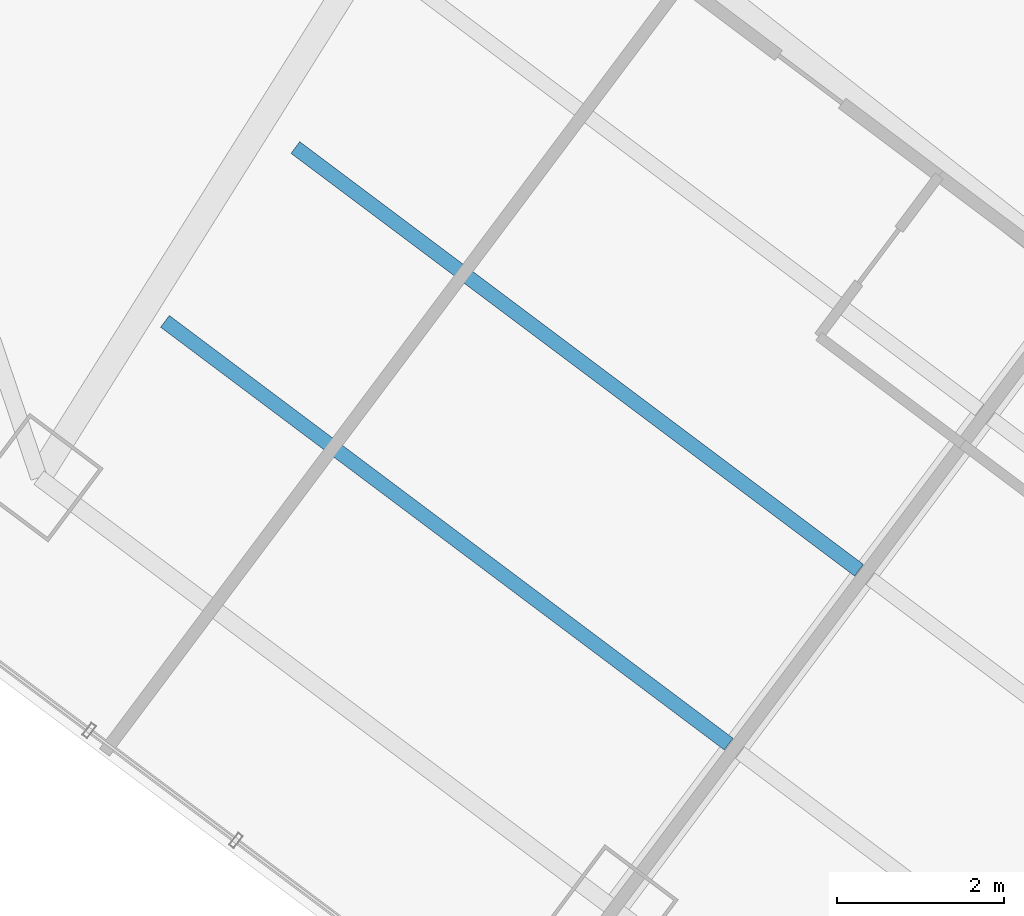
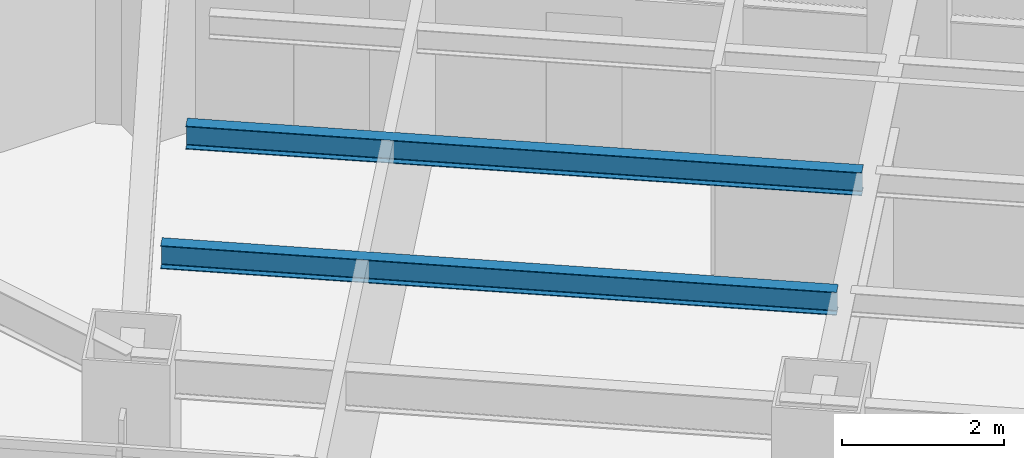
# One storey, part 12 of 38: 2 beams.
"""IFC4 building model written with IfcOpenShell, lengths in metres."""

from ifc_helpers import new_model, si_unit, direction, frame, origin, origin_2d, place, context, subcontext, project, spatial, i_section, extrude, material, material_profile, profile_set, type_object, element, save


model = new_model("IFC4")

# Units and contexts
model_context = context("Model", 3, precision=1e-05, world=origin(), true_north=direction((0.0, 1.0)))
body_context = subcontext(model_context, "Body", "Model", "MODEL_VIEW")
ifc_project = project(units=[si_unit("LENGTHUNIT", "METRE"), si_unit("AREAUNIT", "SQUARE_METRE"), si_unit("VOLUMEUNIT", "CUBIC_METRE"), si_unit("PLANEANGLEUNIT", "RADIAN"), si_unit("MASSUNIT", "GRAM", prefix="KILO")], contexts=[model_context])

# Site, building, storey
site_placement = place(None, origin())
site = spatial("IfcSite", under=ifc_project, at=site_placement, CompositionType="ELEMENT")
building_placement = place(site_placement, origin())
building = spatial("IfcBuilding", under=site, at=building_placement, Name="Hatsunagi Terrace Concourse", CompositionType="ELEMENT")
storey_placement = place(building_placement, frame((0.0, 0.0, 63.39990234375)))
storey = spatial("IfcBuildingStorey", under=building, at=storey_placement, Name="L16", CompositionType="ELEMENT", Elevation=63.39990234375)

# Beams
ifc_material = material(Name="Steel SN490B", Category="steel")
ifc_material_profile = material_profile(ifc_material, i_section(OverallWidth=0.175048828125, OverallDepth=0.35009765625, WebThickness=0.007080078125, FlangeThickness=0.010986328125, FilletRadius=0.012939453125, at=origin_2d()), Name="H-350x175x7x11")
ifc_profile_set = profile_set([ifc_material_profile], Name="Steel SN490B")
beam_type = type_object("IfcBeamType", Name="HotelJoist_H_350x175", PredefinedType="JOIST", material=ifc_profile_set)
for number, where, z_axis, x_axis, name in (
    (1, (40.18798828125, 17.908935546875, 2.955078125), (0.800003475366, -0.59999536615, 0.0), (0.59999536615, 0.800003475366, 0.0), "Beam J-02 J-L16-SE-2-46"),
    (2, (41.748046875, 19.989013671875, 2.955078125), (0.799989573921, -0.600013901187, 0.0), (0.600013901187, 0.799989573921, 0.0), "Beam J-02 J-L16-SE-2-72"),
):
    element("IfcBeam", number, at=place(storey_placement, frame(where, z_axis=z_axis, x_axis=x_axis)), inside=storey, type_object=beam_type, Name=name, PredefinedType="JOIST", context=body_context, shape_type="SweptSolid", body=[
        extrude(i_section(OverallWidth=0.175048828125, OverallDepth=0.35009765625, WebThickness=0.007080078125, FlangeThickness=0.010986328125, FilletRadius=0.012939453125, at=origin_2d()), origin(), (0.0, 0.0, 1.0), 8.429931640625),
    ])

save(model, "model.ifc")
